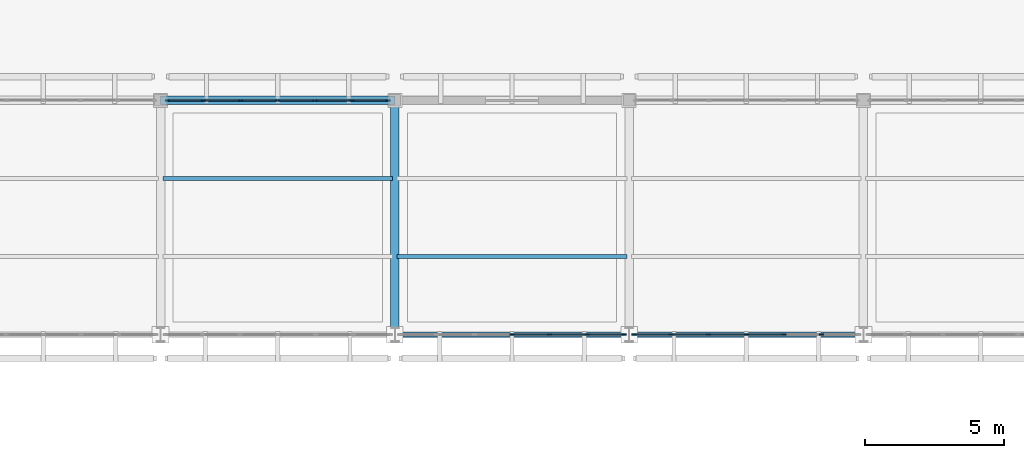
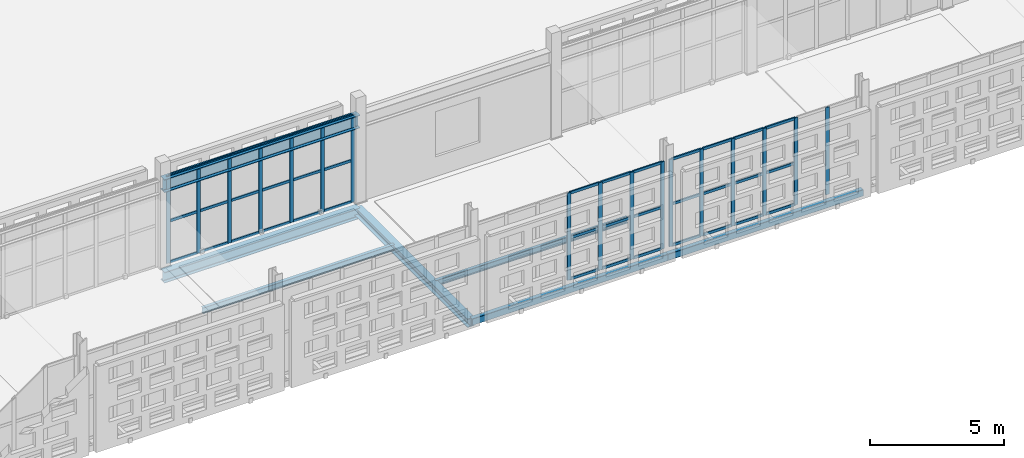
# One storey, part 53 of 203: 56 members, 7 beams, 3 elements without a shape of their own.
"""IFC4 building model written with IfcOpenShell, lengths in metres."""

from ifc_helpers import new_model, si_unit, direction, frame, origin, origin_2d, place, context, subcontext, project, spatial, rectangle, hollow_rectangle, i_section, extrude, material, layer, layer_set, material_profile, profile_set, type_object, element, aggregate, save


model = new_model("IFC4")

# Units and contexts
model_context = context("Model", 3, precision=1e-05, world=origin(), true_north=direction((0.0, 1.0)))
body_context = subcontext(model_context, "Body", "Model", "MODEL_VIEW")
ifc_project = project(units=[si_unit("LENGTHUNIT", "METRE"), si_unit("AREAUNIT", "SQUARE_METRE"), si_unit("VOLUMEUNIT", "CUBIC_METRE"), si_unit("PLANEANGLEUNIT", "RADIAN"), si_unit("MASSUNIT", "GRAM", prefix="KILO")], contexts=[model_context])

# Site, building, storey
site_placement = place(None, origin())
site = spatial("IfcSite", under=ifc_project, at=site_placement, CompositionType="ELEMENT")
building_placement = place(site_placement, origin())
building = spatial("IfcBuilding", under=site, at=building_placement, Name="Varnapada Polytechnic", CompositionType="ELEMENT")
storey_placement = place(building_placement, frame((0.0, 0.0, 4.800048828125)))
storey = spatial("IfcBuildingStorey", under=building, at=storey_placement, Name="L01", CompositionType="ELEMENT", Elevation=4.800048828125)

# Beams
ifc_material_1 = material(Name="Steel S355", Category="steel")
ifc_material_profile_1 = material_profile(ifc_material_1, i_section(OverallWidth=0.135009765625, OverallDepth=0.27001953125, WebThickness=0.006591796875, FlangeThickness=0.01025390625, FilletRadius=0.014892578125, at=origin_2d()), Name="IPE 270")
ifc_profile_set_1 = profile_set([ifc_material_profile_1], Name="Steel S355")
beam_type_1 = type_object("IfcBeamType", Name="Mezzanine heavy steel joist SJ-03 (IPE 270)", PredefinedType="JOIST", material=ifc_profile_set_1)
for number, where, z_axis, x_axis, name in (
    (1, (67.280029296875, 89.60009765625, -0.39501953125), (1.0, 0.0, 0.0), (0.0, 1.0, 0.0), "L01 floor joist 9/11.2"),
    (2, (75.679931640625, 86.800048828125, -0.39501953125), (1.0, 0.0, 0.0), (0.0, 1.0, 0.0), "L01 floor joist 10/11.1"),
):
    element("IfcBeam", number, at=place(storey_placement, frame(where, z_axis=z_axis, x_axis=x_axis)), inside=storey, type_object=beam_type_1, Name=name, PredefinedType="JOIST", context=body_context, shape_type="SweptSolid", body=[
        extrude(i_section(OverallWidth=0.135009765625, OverallDepth=0.27001953125, WebThickness=0.006591796875, FlangeThickness=0.01025390625, FilletRadius=0.014892578125, at=origin_2d()), origin(), (0.0, 0.0, 1.0), 8.239990234375),
    ])

# Curtain wall, members
ifc_material_2 = material(Name="Double low-E laminated glass", Category="glass")
ifc_layer_1 = layer(ifc_material_2, 0.159912109375)
ifc_layer_set_1 = layer_set([ifc_layer_1], Name="Double low-E laminated glass")
curtain_wall_type_1 = type_object("IfcCurtainWallType", Name="Curtain Wall CW-02", PredefinedType="NOTDEFINED", material=ifc_layer_set_1)
curtain_wall_1_placement = place(storey_placement, origin())
curtain_wall_1 = element("IfcCurtainWall", 3, at=curtain_wall_1_placement, inside=storey, type_object=curtain_wall_type_1, Name="L01 unitised curtain wall CW-02 (63)", PredefinedType="NOTDEFINED")
ifc_material_3 = material(Name="Anodised aluminium", Category="aluminium")
ifc_material_profile_2 = material_profile(ifc_material_3, rectangle(XDim=0.06005859375, YDim=0.159912109375, at=origin_2d()), Name="ALU M60x160")
ifc_profile_set_2 = profile_set([ifc_material_profile_2], Name="Anodised aluminium")
member_type_1 = type_object("IfcMemberType", Name="Mullion M-01", PredefinedType="MULLION", material=ifc_profile_set_2)
member_1_placement = place(storey_placement, frame((67.43994140625, 92.39990234375, 0.0), z_axis=(0.0, 0.0, 1.0), x_axis=(0.0, 1.0, 0.0)))
member_1 = element("IfcMember", 4, at=member_1_placement, type_object=member_type_1, Name="CW-02 mullion 1", PredefinedType="MULLION", context=body_context, shape_type="SweptSolid", body=[
    extrude(rectangle(XDim=0.06005859375, YDim=0.159912109375, at=origin_2d()), origin(), (0.0, 0.0, 1.0), 3.9599609375),
])
member_2_placement = place(storey_placement, frame((68.739990234375, 92.39990234375, 0.0), z_axis=(0.0, 0.0, 1.0), x_axis=(0.0, 1.0, 0.0)))
member_2 = element("IfcMember", 5, at=member_2_placement, type_object=member_type_1, Name="CW-02 mullion 2", PredefinedType="MULLION", context=body_context, shape_type="SweptSolid", body=[
    extrude(rectangle(XDim=0.06005859375, YDim=0.159912109375, at=origin_2d()), origin(), (0.0, 0.0, 1.0), 3.9599609375),
])
member_3_placement = place(storey_placement, frame((70.070068359375, 92.39990234375, 0.0), z_axis=(0.0, 0.0, 1.0), x_axis=(0.0, 1.0, 0.0)))
member_3 = element("IfcMember", 6, at=member_3_placement, type_object=member_type_1, Name="CW-02 mullion 3", PredefinedType="MULLION", context=body_context, shape_type="SweptSolid", body=[
    extrude(rectangle(XDim=0.06005859375, YDim=0.159912109375, at=origin_2d()), origin(), (0.0, 0.0, 1.0), 3.9599609375),
])
member_4_placement = place(storey_placement, frame((71.39990234375, 92.39990234375, 0.0), z_axis=(0.0, 0.0, 1.0), x_axis=(0.0, 1.0, 0.0)))
member_4 = element("IfcMember", 7, at=member_4_placement, type_object=member_type_1, Name="CW-02 mullion 4", PredefinedType="MULLION", context=body_context, shape_type="SweptSolid", body=[
    extrude(rectangle(XDim=0.06005859375, YDim=0.159912109375, at=origin_2d()), origin(), (0.0, 0.0, 1.0), 3.9599609375),
])
member_5_placement = place(storey_placement, frame((72.72998046875, 92.39990234375, 0.0), z_axis=(0.0, 0.0, 1.0), x_axis=(0.0, 1.0, 0.0)))
member_5 = element("IfcMember", 8, at=member_5_placement, type_object=member_type_1, Name="CW-02 mullion 5", PredefinedType="MULLION", context=body_context, shape_type="SweptSolid", body=[
    extrude(rectangle(XDim=0.06005859375, YDim=0.159912109375, at=origin_2d()), origin(), (0.0, 0.0, 1.0), 3.9599609375),
])
member_6_placement = place(storey_placement, frame((74.06005859375, 92.39990234375, 0.0), z_axis=(0.0, 0.0, 1.0), x_axis=(0.0, 1.0, 0.0)))
member_6 = element("IfcMember", 9, at=member_6_placement, type_object=member_type_1, Name="CW-02 mullion 6", PredefinedType="MULLION", context=body_context, shape_type="SweptSolid", body=[
    extrude(rectangle(XDim=0.06005859375, YDim=0.159912109375, at=origin_2d()), origin(), (0.0, 0.0, 1.0), 3.9599609375),
])
member_7_placement = place(storey_placement, frame((75.360107421875, 92.39990234375, 0.0), z_axis=(0.0, 0.0, 1.0), x_axis=(0.0, 1.0, 0.0)))
member_7 = element("IfcMember", 10, at=member_7_placement, type_object=member_type_1, Name="CW-02 mullion 7", PredefinedType="MULLION", context=body_context, shape_type="SweptSolid", body=[
    extrude(rectangle(XDim=0.06005859375, YDim=0.159912109375, at=origin_2d()), origin(), (0.0, 0.0, 1.0), 3.9599609375),
])

ifc_layer_2 = layer(ifc_material_2, 0.159912109375)
ifc_layer_set_2 = layer_set([ifc_layer_2], Name="Double low-E laminated glass")
curtain_wall_type_2 = type_object("IfcCurtainWallType", Name="Curtain Wall CW-01", PredefinedType="NOTDEFINED", material=ifc_layer_set_2)
curtain_wall_2_placement = place(storey_placement, origin())
curtain_wall_2 = element("IfcCurtainWall", 11, at=curtain_wall_2_placement, inside=storey, type_object=curtain_wall_type_2, Name="L01 unitised curtain wall CW-01 (66)", PredefinedType="NOTDEFINED")
member_8_placement = place(storey_placement, frame((83.820068359375, 84.0, 0.0), z_axis=(0.0, 0.0, 1.0), x_axis=(0.0, -1.0, 0.0)))
member_8 = element("IfcMember", 12, at=member_8_placement, type_object=member_type_1, Name="CW-01 mullion 1", PredefinedType="MULLION", context=body_context, shape_type="SweptSolid", body=[
    extrude(rectangle(XDim=0.06005859375, YDim=0.159912109375, at=origin_2d()), origin(), (0.0, 0.0, 1.0), 3.9599609375),
])
member_9_placement = place(storey_placement, frame((82.5, 84.0, 0.0), z_axis=(0.0, 0.0, 1.0), x_axis=(0.0, -1.0, 0.0)))
member_9 = element("IfcMember", 13, at=member_9_placement, type_object=member_type_1, Name="CW-01 mullion 2", PredefinedType="MULLION", context=body_context, shape_type="SweptSolid", body=[
    extrude(rectangle(XDim=0.06005859375, YDim=0.159912109375, at=origin_2d()), origin(), (0.0, 0.0, 1.0), 3.9599609375),
])
member_10_placement = place(storey_placement, frame((81.14990234375, 84.0, 0.0), z_axis=(0.0, 0.0, 1.0), x_axis=(0.0, -1.0, 0.0)))
member_10 = element("IfcMember", 14, at=member_10_placement, type_object=member_type_1, Name="CW-01 mullion 3", PredefinedType="MULLION", context=body_context, shape_type="SweptSolid", body=[
    extrude(rectangle(XDim=0.06005859375, YDim=0.159912109375, at=origin_2d()), origin(), (0.0, 0.0, 1.0), 3.9599609375),
])
member_11_placement = place(storey_placement, frame((79.800048828125, 84.0, 0.0), z_axis=(0.0, 0.0, 1.0), x_axis=(0.0, -1.0, 0.0)))
member_11 = element("IfcMember", 15, at=member_11_placement, type_object=member_type_1, Name="CW-01 mullion 4", PredefinedType="MULLION", context=body_context, shape_type="SweptSolid", body=[
    extrude(rectangle(XDim=0.06005859375, YDim=0.159912109375, at=origin_2d()), origin(), (0.0, 0.0, 1.0), 3.9599609375),
])

curtain_wall_3_placement = place(storey_placement, origin())
curtain_wall_3 = element("IfcCurtainWall", 16, at=curtain_wall_3_placement, inside=storey, type_object=curtain_wall_type_2, Name="L01 unitised curtain wall CW-01 (71)", PredefinedType="NOTDEFINED")
member_12_placement = place(storey_placement, frame((90.89990234375, 84.0, 0.0), z_axis=(0.0, 0.0, 1.0), x_axis=(0.0, -1.0, 0.0)))
member_12 = element("IfcMember", 17, at=member_12_placement, type_object=member_type_1, Name="CW-01 mullion 2", PredefinedType="MULLION", context=body_context, shape_type="SweptSolid", body=[
    extrude(rectangle(XDim=0.06005859375, YDim=0.159912109375, at=origin_2d()), origin(), (0.0, 0.0, 1.0), 3.9599609375),
])
member_13_placement = place(storey_placement, frame((89.550048828125, 84.0, 0.0), z_axis=(0.0, 0.0, 1.0), x_axis=(0.0, -1.0, 0.0)))
member_13 = element("IfcMember", 18, at=member_13_placement, type_object=member_type_1, Name="CW-01 mullion 3", PredefinedType="MULLION", context=body_context, shape_type="SweptSolid", body=[
    extrude(rectangle(XDim=0.06005859375, YDim=0.159912109375, at=origin_2d()), origin(), (0.0, 0.0, 1.0), 3.9599609375),
])
member_14_placement = place(storey_placement, frame((88.199951171875, 84.0, 0.0), z_axis=(0.0, 0.0, 1.0), x_axis=(0.0, -1.0, 0.0)))
member_14 = element("IfcMember", 19, at=member_14_placement, type_object=member_type_1, Name="CW-01 mullion 4", PredefinedType="MULLION", context=body_context, shape_type="SweptSolid", body=[
    extrude(rectangle(XDim=0.06005859375, YDim=0.159912109375, at=origin_2d()), origin(), (0.0, 0.0, 1.0), 3.9599609375),
])
member_15_placement = place(storey_placement, frame((86.85009765625, 84.0, 0.0), z_axis=(0.0, 0.0, 1.0), x_axis=(0.0, -1.0, 0.0)))
member_15 = element("IfcMember", 20, at=member_15_placement, type_object=member_type_1, Name="CW-01 mullion 5", PredefinedType="MULLION", context=body_context, shape_type="SweptSolid", body=[
    extrude(rectangle(XDim=0.06005859375, YDim=0.159912109375, at=origin_2d()), origin(), (0.0, 0.0, 1.0), 3.9599609375),
])
member_16_placement = place(storey_placement, frame((85.5, 84.0, 0.0), z_axis=(0.0, 0.0, 1.0), x_axis=(0.0, -1.0, 0.0)))
member_16 = element("IfcMember", 21, at=member_16_placement, type_object=member_type_1, Name="CW-01 mullion 6", PredefinedType="MULLION", context=body_context, shape_type="SweptSolid", body=[
    extrude(rectangle(XDim=0.06005859375, YDim=0.159912109375, at=origin_2d()), origin(), (0.0, 0.0, 1.0), 3.9599609375),
])
member_17_placement = place(storey_placement, frame((84.179931640625, 84.0, 0.0), z_axis=(0.0, 0.0, 1.0), x_axis=(0.0, -1.0, 0.0)))
member_17 = element("IfcMember", 22, at=member_17_placement, type_object=member_type_1, Name="CW-01 mullion 7", PredefinedType="MULLION", context=body_context, shape_type="SweptSolid", body=[
    extrude(rectangle(XDim=0.06005859375, YDim=0.159912109375, at=origin_2d()), origin(), (0.0, 0.0, 1.0), 3.9599609375),
])

# Beam
ifc_material_profile_3 = material_profile(ifc_material_1, i_section(OverallWidth=0.300048828125, OverallDepth=0.389892578125, WebThickness=0.010986328125, FlangeThickness=0.01904296875, FilletRadius=0.027099609375, at=origin_2d()), Name="HEA 400")
ifc_profile_set_3 = profile_set([ifc_material_profile_3], Name="Steel S355")
beam_type_2 = type_object("IfcBeamType", Name="Steel roof primary girder SG-01 (HEA 400)", PredefinedType="BEAM", material=ifc_profile_set_3)
beam_1_placement = place(storey_placement, frame((75.60009765625, 84.0, -0.465087890625), z_axis=(0.0, 1.0, 0.0), x_axis=(-1.0, 0.0, 0.0)))
element("IfcBeam", 23, at=beam_1_placement, inside=storey, type_object=beam_type_2, Name="L01 beam Y 11-12 at X10", PredefinedType="BEAM", context=body_context, shape_type="SweptSolid", body=[
    extrude(i_section(OverallWidth=0.300048828125, OverallDepth=0.389892578125, WebThickness=0.010986328125, FlangeThickness=0.01904296875, FilletRadius=0.027099609375, at=origin_2d()), origin(), (0.0, 0.0, 1.0), 8.39990234375),
])

# Member
ifc_material_profile_4 = material_profile(ifc_material_3, rectangle(XDim=0.06005859375, YDim=0.1201171875, at=origin_2d()), Name="ALU T60x120")
ifc_profile_set_4 = profile_set([ifc_material_profile_4], Name="Anodised aluminium")
member_type_2 = type_object("IfcMemberType", Name="Transom T-01", PredefinedType="USERDEFINED", material=ifc_profile_set_4)
member_18_placement = place(storey_placement, frame((67.469970703125, 92.39990234375, 0.030029296875), z_axis=(1.0, 0.0, 0.0), x_axis=(0.0, 1.0, 0.0)))
member_18 = element("IfcMember", 24, at=member_18_placement, type_object=member_type_2, Name="CW-02 transom 1.1", ObjectType="TRANSOM", PredefinedType="USERDEFINED", context=body_context, shape_type="SweptSolid", body=[
    extrude(rectangle(XDim=0.06005859375, YDim=0.1201171875, at=origin_2d()), origin(), (0.0, 0.0, 1.0), 1.239990234375),
])

member_19_placement = place(storey_placement, frame((67.469970703125, 92.39990234375, 1.900634765625), z_axis=(1.0, 0.0, 0.0), x_axis=(0.0, 1.0, 0.0)))
member_19 = element("IfcMember", 25, at=member_19_placement, type_object=member_type_2, Name="CW-02 transom 1.2", ObjectType="TRANSOM", PredefinedType="USERDEFINED", context=body_context, shape_type="SweptSolid", body=[
    extrude(rectangle(XDim=0.06005859375, YDim=0.1201171875, at=origin_2d()), origin(), (0.0, 0.0, 1.0), 1.239990234375),
])

member_20_placement = place(storey_placement, frame((67.469970703125, 92.39990234375, 3.929931640625), z_axis=(1.0, 0.0, 0.0), x_axis=(0.0, 1.0, 0.0)))
member_20 = element("IfcMember", 26, at=member_20_placement, type_object=member_type_2, Name="CW-02 transom 1.3", ObjectType="TRANSOM", PredefinedType="USERDEFINED", context=body_context, shape_type="SweptSolid", body=[
    extrude(rectangle(XDim=0.06005859375, YDim=0.1201171875, at=origin_2d()), origin(), (0.0, 0.0, 1.0), 1.239990234375),
])

member_21_placement = place(storey_placement, frame((68.77001953125, 92.39990234375, 0.030029296875), z_axis=(1.0, 0.0, 0.0), x_axis=(0.0, 1.0, 0.0)))
member_21 = element("IfcMember", 27, at=member_21_placement, type_object=member_type_2, Name="CW-02 transom 2.1", ObjectType="TRANSOM", PredefinedType="USERDEFINED", context=body_context, shape_type="SweptSolid", body=[
    extrude(rectangle(XDim=0.06005859375, YDim=0.1201171875, at=origin_2d()), origin(), (0.0, 0.0, 1.0), 1.27001953125),
])

member_22_placement = place(storey_placement, frame((68.77001953125, 92.39990234375, 1.900634765625), z_axis=(1.0, 0.0, 0.0), x_axis=(0.0, 1.0, 0.0)))
member_22 = element("IfcMember", 28, at=member_22_placement, type_object=member_type_2, Name="CW-02 transom 2.2", ObjectType="TRANSOM", PredefinedType="USERDEFINED", context=body_context, shape_type="SweptSolid", body=[
    extrude(rectangle(XDim=0.06005859375, YDim=0.1201171875, at=origin_2d()), origin(), (0.0, 0.0, 1.0), 1.27001953125),
])

member_23_placement = place(storey_placement, frame((68.77001953125, 92.39990234375, 3.929931640625), z_axis=(1.0, 0.0, 0.0), x_axis=(0.0, 1.0, 0.0)))
member_23 = element("IfcMember", 29, at=member_23_placement, type_object=member_type_2, Name="CW-02 transom 2.3", ObjectType="TRANSOM", PredefinedType="USERDEFINED", context=body_context, shape_type="SweptSolid", body=[
    extrude(rectangle(XDim=0.06005859375, YDim=0.1201171875, at=origin_2d()), origin(), (0.0, 0.0, 1.0), 1.27001953125),
])

member_24_placement = place(storey_placement, frame((70.10009765625, 92.39990234375, 0.030029296875), z_axis=(1.0, 0.0, 0.0), x_axis=(0.0, 1.0, 0.0)))
member_24 = element("IfcMember", 30, at=member_24_placement, type_object=member_type_2, Name="CW-02 transom 3.1", ObjectType="TRANSOM", PredefinedType="USERDEFINED", context=body_context, shape_type="SweptSolid", body=[
    extrude(rectangle(XDim=0.06005859375, YDim=0.1201171875, at=origin_2d()), origin(), (0.0, 0.0, 1.0), 1.27001953125),
])

member_25_placement = place(storey_placement, frame((70.10009765625, 92.39990234375, 1.900634765625), z_axis=(1.0, 0.0, 0.0), x_axis=(0.0, 1.0, 0.0)))
member_25 = element("IfcMember", 31, at=member_25_placement, type_object=member_type_2, Name="CW-02 transom 3.2", ObjectType="TRANSOM", PredefinedType="USERDEFINED", context=body_context, shape_type="SweptSolid", body=[
    extrude(rectangle(XDim=0.06005859375, YDim=0.1201171875, at=origin_2d()), origin(), (0.0, 0.0, 1.0), 1.27001953125),
])

member_26_placement = place(storey_placement, frame((70.10009765625, 92.39990234375, 3.929931640625), z_axis=(1.0, 0.0, 0.0), x_axis=(0.0, 1.0, 0.0)))
member_26 = element("IfcMember", 32, at=member_26_placement, type_object=member_type_2, Name="CW-02 transom 3.3", ObjectType="TRANSOM", PredefinedType="USERDEFINED", context=body_context, shape_type="SweptSolid", body=[
    extrude(rectangle(XDim=0.06005859375, YDim=0.1201171875, at=origin_2d()), origin(), (0.0, 0.0, 1.0), 1.27001953125),
])

member_27_placement = place(storey_placement, frame((71.429931640625, 92.39990234375, 0.030029296875), z_axis=(1.0, 0.0, 0.0), x_axis=(0.0, 1.0, 0.0)))
member_27 = element("IfcMember", 33, at=member_27_placement, type_object=member_type_2, Name="CW-02 transom 4.1", ObjectType="TRANSOM", PredefinedType="USERDEFINED", context=body_context, shape_type="SweptSolid", body=[
    extrude(rectangle(XDim=0.06005859375, YDim=0.1201171875, at=origin_2d()), origin(), (0.0, 0.0, 1.0), 1.27001953125),
])

member_28_placement = place(storey_placement, frame((71.429931640625, 92.39990234375, 1.900634765625), z_axis=(1.0, 0.0, 0.0), x_axis=(0.0, 1.0, 0.0)))
member_28 = element("IfcMember", 34, at=member_28_placement, type_object=member_type_2, Name="CW-02 transom 4.2", ObjectType="TRANSOM", PredefinedType="USERDEFINED", context=body_context, shape_type="SweptSolid", body=[
    extrude(rectangle(XDim=0.06005859375, YDim=0.1201171875, at=origin_2d()), origin(), (0.0, 0.0, 1.0), 1.27001953125),
])

member_29_placement = place(storey_placement, frame((71.429931640625, 92.39990234375, 3.929931640625), z_axis=(1.0, 0.0, 0.0), x_axis=(0.0, 1.0, 0.0)))
member_29 = element("IfcMember", 35, at=member_29_placement, type_object=member_type_2, Name="CW-02 transom 4.3", ObjectType="TRANSOM", PredefinedType="USERDEFINED", context=body_context, shape_type="SweptSolid", body=[
    extrude(rectangle(XDim=0.06005859375, YDim=0.1201171875, at=origin_2d()), origin(), (0.0, 0.0, 1.0), 1.27001953125),
])

member_30_placement = place(storey_placement, frame((72.760009765625, 92.39990234375, 0.030029296875), z_axis=(1.0, 0.0, 0.0), x_axis=(0.0, 1.0, 0.0)))
member_30 = element("IfcMember", 36, at=member_30_placement, type_object=member_type_2, Name="CW-02 transom 5.1", ObjectType="TRANSOM", PredefinedType="USERDEFINED", context=body_context, shape_type="SweptSolid", body=[
    extrude(rectangle(XDim=0.06005859375, YDim=0.1201171875, at=origin_2d()), origin(), (0.0, 0.0, 1.0), 1.27001953125),
])

member_31_placement = place(storey_placement, frame((72.760009765625, 92.39990234375, 1.900634765625), z_axis=(1.0, 0.0, 0.0), x_axis=(0.0, 1.0, 0.0)))
member_31 = element("IfcMember", 37, at=member_31_placement, type_object=member_type_2, Name="CW-02 transom 5.2", ObjectType="TRANSOM", PredefinedType="USERDEFINED", context=body_context, shape_type="SweptSolid", body=[
    extrude(rectangle(XDim=0.06005859375, YDim=0.1201171875, at=origin_2d()), origin(), (0.0, 0.0, 1.0), 1.27001953125),
])

member_32_placement = place(storey_placement, frame((72.760009765625, 92.39990234375, 3.929931640625), z_axis=(1.0, 0.0, 0.0), x_axis=(0.0, 1.0, 0.0)))
member_32 = element("IfcMember", 38, at=member_32_placement, type_object=member_type_2, Name="CW-02 transom 5.3", ObjectType="TRANSOM", PredefinedType="USERDEFINED", context=body_context, shape_type="SweptSolid", body=[
    extrude(rectangle(XDim=0.06005859375, YDim=0.1201171875, at=origin_2d()), origin(), (0.0, 0.0, 1.0), 1.27001953125),
])

member_33_placement = place(storey_placement, frame((74.090087890625, 92.39990234375, 0.030029296875), z_axis=(1.0, 0.0, 0.0), x_axis=(0.0, 1.0, 0.0)))
member_33 = element("IfcMember", 39, at=member_33_placement, type_object=member_type_2, Name="CW-02 transom 6.1", ObjectType="TRANSOM", PredefinedType="USERDEFINED", context=body_context, shape_type="SweptSolid", body=[
    extrude(rectangle(XDim=0.06005859375, YDim=0.1201171875, at=origin_2d()), origin(), (0.0, 0.0, 1.0), 1.239990234375),
])

member_34_placement = place(storey_placement, frame((74.090087890625, 92.39990234375, 1.900634765625), z_axis=(1.0, 0.0, 0.0), x_axis=(0.0, 1.0, 0.0)))
member_34 = element("IfcMember", 40, at=member_34_placement, type_object=member_type_2, Name="CW-02 transom 6.2", ObjectType="TRANSOM", PredefinedType="USERDEFINED", context=body_context, shape_type="SweptSolid", body=[
    extrude(rectangle(XDim=0.06005859375, YDim=0.1201171875, at=origin_2d()), origin(), (0.0, 0.0, 1.0), 1.239990234375),
])

member_35_placement = place(storey_placement, frame((74.090087890625, 92.39990234375, 3.929931640625), z_axis=(1.0, 0.0, 0.0), x_axis=(0.0, 1.0, 0.0)))
member_35 = element("IfcMember", 41, at=member_35_placement, type_object=member_type_2, Name="CW-02 transom 6.3", ObjectType="TRANSOM", PredefinedType="USERDEFINED", context=body_context, shape_type="SweptSolid", body=[
    extrude(rectangle(XDim=0.06005859375, YDim=0.1201171875, at=origin_2d()), origin(), (0.0, 0.0, 1.0), 1.239990234375),
])

aggregate(curtain_wall_1, [member_1, member_2, member_3, member_4, member_5, member_6, member_7, member_18, member_19, member_20, member_21, member_22, member_23, member_24, member_25, member_26, member_27, member_28, member_29, member_30, member_31, member_32, member_33, member_34, member_35])

member_36_placement = place(storey_placement, frame((83.7900390625, 84.0, 0.030029296875), z_axis=(-1.0, 0.0, 0.0), x_axis=(0.0, -1.0, 0.0)))
member_36 = element("IfcMember", 42, at=member_36_placement, type_object=member_type_2, Name="CW-01 transom 1.1", ObjectType="TRANSOM", PredefinedType="USERDEFINED", context=body_context, shape_type="SweptSolid", body=[
    extrude(rectangle(XDim=0.06005859375, YDim=0.1201171875, at=origin_2d()), origin(), (0.0, 0.0, 1.0), 1.260009765625),
])

member_37_placement = place(storey_placement, frame((83.7900390625, 84.0, 1.900634765625), z_axis=(-1.0, 0.0, 0.0), x_axis=(0.0, -1.0, 0.0)))
member_37 = element("IfcMember", 43, at=member_37_placement, type_object=member_type_2, Name="CW-01 transom 1.2", ObjectType="TRANSOM", PredefinedType="USERDEFINED", context=body_context, shape_type="SweptSolid", body=[
    extrude(rectangle(XDim=0.06005859375, YDim=0.1201171875, at=origin_2d()), origin(), (0.0, 0.0, 1.0), 1.260009765625),
])

member_38_placement = place(storey_placement, frame((83.7900390625, 84.0, 3.929931640625), z_axis=(-1.0, 0.0, 0.0), x_axis=(0.0, -1.0, 0.0)))
member_38 = element("IfcMember", 44, at=member_38_placement, type_object=member_type_2, Name="CW-01 transom 1.3", ObjectType="TRANSOM", PredefinedType="USERDEFINED", context=body_context, shape_type="SweptSolid", body=[
    extrude(rectangle(XDim=0.06005859375, YDim=0.1201171875, at=origin_2d()), origin(), (0.0, 0.0, 1.0), 1.260009765625),
])

member_39_placement = place(storey_placement, frame((82.469970703125, 84.0, 0.030029296875), z_axis=(-1.0, 0.0, 0.0), x_axis=(0.0, -1.0, 0.0)))
member_39 = element("IfcMember", 45, at=member_39_placement, type_object=member_type_2, Name="CW-01 transom 2.1", ObjectType="TRANSOM", PredefinedType="USERDEFINED", context=body_context, shape_type="SweptSolid", body=[
    extrude(rectangle(XDim=0.06005859375, YDim=0.1201171875, at=origin_2d()), origin(), (0.0, 0.0, 1.0), 1.2900390625),
])

member_40_placement = place(storey_placement, frame((82.469970703125, 84.0, 1.900634765625), z_axis=(-1.0, 0.0, 0.0), x_axis=(0.0, -1.0, 0.0)))
member_40 = element("IfcMember", 46, at=member_40_placement, type_object=member_type_2, Name="CW-01 transom 2.2", ObjectType="TRANSOM", PredefinedType="USERDEFINED", context=body_context, shape_type="SweptSolid", body=[
    extrude(rectangle(XDim=0.06005859375, YDim=0.1201171875, at=origin_2d()), origin(), (0.0, 0.0, 1.0), 1.2900390625),
])

member_41_placement = place(storey_placement, frame((82.469970703125, 84.0, 3.929931640625), z_axis=(-1.0, 0.0, 0.0), x_axis=(0.0, -1.0, 0.0)))
member_41 = element("IfcMember", 47, at=member_41_placement, type_object=member_type_2, Name="CW-01 transom 2.3", ObjectType="TRANSOM", PredefinedType="USERDEFINED", context=body_context, shape_type="SweptSolid", body=[
    extrude(rectangle(XDim=0.06005859375, YDim=0.1201171875, at=origin_2d()), origin(), (0.0, 0.0, 1.0), 1.2900390625),
])

member_42_placement = place(storey_placement, frame((81.1201171875, 84.0, 0.030029296875), z_axis=(-1.0, 0.0, 0.0), x_axis=(0.0, -1.0, 0.0)))
member_42 = element("IfcMember", 48, at=member_42_placement, type_object=member_type_2, Name="CW-01 transom 3.1", ObjectType="TRANSOM", PredefinedType="USERDEFINED", context=body_context, shape_type="SweptSolid", body=[
    extrude(rectangle(XDim=0.06005859375, YDim=0.1201171875, at=origin_2d()), origin(), (0.0, 0.0, 1.0), 1.2900390625),
])

member_43_placement = place(storey_placement, frame((81.1201171875, 84.0, 1.900634765625), z_axis=(-1.0, 0.0, 0.0), x_axis=(0.0, -1.0, 0.0)))
member_43 = element("IfcMember", 49, at=member_43_placement, type_object=member_type_2, Name="CW-01 transom 3.2", ObjectType="TRANSOM", PredefinedType="USERDEFINED", context=body_context, shape_type="SweptSolid", body=[
    extrude(rectangle(XDim=0.06005859375, YDim=0.1201171875, at=origin_2d()), origin(), (0.0, 0.0, 1.0), 1.2900390625),
])

member_44_placement = place(storey_placement, frame((81.1201171875, 84.0, 3.929931640625), z_axis=(-1.0, 0.0, 0.0), x_axis=(0.0, -1.0, 0.0)))
member_44 = element("IfcMember", 50, at=member_44_placement, type_object=member_type_2, Name="CW-01 transom 3.3", ObjectType="TRANSOM", PredefinedType="USERDEFINED", context=body_context, shape_type="SweptSolid", body=[
    extrude(rectangle(XDim=0.06005859375, YDim=0.1201171875, at=origin_2d()), origin(), (0.0, 0.0, 1.0), 1.2900390625),
])

aggregate(curtain_wall_2, [member_8, member_9, member_10, member_11, member_36, member_37, member_38, member_39, member_40, member_41, member_42, member_43, member_44])

member_45_placement = place(storey_placement, frame((89.52001953125, 84.0, 0.030029296875), z_axis=(-1.0, 0.0, 0.0), x_axis=(0.0, -1.0, 0.0)))
member_45 = element("IfcMember", 51, at=member_45_placement, type_object=member_type_2, Name="CW-01 transom 3.1", ObjectType="TRANSOM", PredefinedType="USERDEFINED", context=body_context, shape_type="SweptSolid", body=[
    extrude(rectangle(XDim=0.06005859375, YDim=0.1201171875, at=origin_2d()), origin(), (0.0, 0.0, 1.0), 1.2900390625),
])

member_46_placement = place(storey_placement, frame((89.52001953125, 84.0, 1.900634765625), z_axis=(-1.0, 0.0, 0.0), x_axis=(0.0, -1.0, 0.0)))
member_46 = element("IfcMember", 52, at=member_46_placement, type_object=member_type_2, Name="CW-01 transom 3.2", ObjectType="TRANSOM", PredefinedType="USERDEFINED", context=body_context, shape_type="SweptSolid", body=[
    extrude(rectangle(XDim=0.06005859375, YDim=0.1201171875, at=origin_2d()), origin(), (0.0, 0.0, 1.0), 1.2900390625),
])

member_47_placement = place(storey_placement, frame((89.52001953125, 84.0, 3.929931640625), z_axis=(-1.0, 0.0, 0.0), x_axis=(0.0, -1.0, 0.0)))
member_47 = element("IfcMember", 53, at=member_47_placement, type_object=member_type_2, Name="CW-01 transom 3.3", ObjectType="TRANSOM", PredefinedType="USERDEFINED", context=body_context, shape_type="SweptSolid", body=[
    extrude(rectangle(XDim=0.06005859375, YDim=0.1201171875, at=origin_2d()), origin(), (0.0, 0.0, 1.0), 1.2900390625),
])

member_48_placement = place(storey_placement, frame((88.169921875, 84.0, 0.030029296875), z_axis=(-1.0, 0.0, 0.0), x_axis=(0.0, -1.0, 0.0)))
member_48 = element("IfcMember", 54, at=member_48_placement, type_object=member_type_2, Name="CW-01 transom 4.1", ObjectType="TRANSOM", PredefinedType="USERDEFINED", context=body_context, shape_type="SweptSolid", body=[
    extrude(rectangle(XDim=0.06005859375, YDim=0.1201171875, at=origin_2d()), origin(), (0.0, 0.0, 1.0), 1.2900390625),
])

member_49_placement = place(storey_placement, frame((88.169921875, 84.0, 1.900634765625), z_axis=(-1.0, 0.0, 0.0), x_axis=(0.0, -1.0, 0.0)))
member_49 = element("IfcMember", 55, at=member_49_placement, type_object=member_type_2, Name="CW-01 transom 4.2", ObjectType="TRANSOM", PredefinedType="USERDEFINED", context=body_context, shape_type="SweptSolid", body=[
    extrude(rectangle(XDim=0.06005859375, YDim=0.1201171875, at=origin_2d()), origin(), (0.0, 0.0, 1.0), 1.2900390625),
])

member_50_placement = place(storey_placement, frame((88.169921875, 84.0, 3.929931640625), z_axis=(-1.0, 0.0, 0.0), x_axis=(0.0, -1.0, 0.0)))
member_50 = element("IfcMember", 56, at=member_50_placement, type_object=member_type_2, Name="CW-01 transom 4.3", ObjectType="TRANSOM", PredefinedType="USERDEFINED", context=body_context, shape_type="SweptSolid", body=[
    extrude(rectangle(XDim=0.06005859375, YDim=0.1201171875, at=origin_2d()), origin(), (0.0, 0.0, 1.0), 1.2900390625),
])

member_51_placement = place(storey_placement, frame((86.820068359375, 84.0, 0.030029296875), z_axis=(-1.0, 0.0, 0.0), x_axis=(0.0, -1.0, 0.0)))
member_51 = element("IfcMember", 57, at=member_51_placement, type_object=member_type_2, Name="CW-01 transom 5.1", ObjectType="TRANSOM", PredefinedType="USERDEFINED", context=body_context, shape_type="SweptSolid", body=[
    extrude(rectangle(XDim=0.06005859375, YDim=0.1201171875, at=origin_2d()), origin(), (0.0, 0.0, 1.0), 1.2900390625),
])

member_52_placement = place(storey_placement, frame((86.820068359375, 84.0, 1.900634765625), z_axis=(-1.0, 0.0, 0.0), x_axis=(0.0, -1.0, 0.0)))
member_52 = element("IfcMember", 58, at=member_52_placement, type_object=member_type_2, Name="CW-01 transom 5.2", ObjectType="TRANSOM", PredefinedType="USERDEFINED", context=body_context, shape_type="SweptSolid", body=[
    extrude(rectangle(XDim=0.06005859375, YDim=0.1201171875, at=origin_2d()), origin(), (0.0, 0.0, 1.0), 1.2900390625),
])

member_53_placement = place(storey_placement, frame((86.820068359375, 84.0, 3.929931640625), z_axis=(-1.0, 0.0, 0.0), x_axis=(0.0, -1.0, 0.0)))
member_53 = element("IfcMember", 59, at=member_53_placement, type_object=member_type_2, Name="CW-01 transom 5.3", ObjectType="TRANSOM", PredefinedType="USERDEFINED", context=body_context, shape_type="SweptSolid", body=[
    extrude(rectangle(XDim=0.06005859375, YDim=0.1201171875, at=origin_2d()), origin(), (0.0, 0.0, 1.0), 1.2900390625),
])

member_54_placement = place(storey_placement, frame((85.469970703125, 84.0, 0.030029296875), z_axis=(-1.0, 0.0, 0.0), x_axis=(0.0, -1.0, 0.0)))
member_54 = element("IfcMember", 60, at=member_54_placement, type_object=member_type_2, Name="CW-01 transom 6.1", ObjectType="TRANSOM", PredefinedType="USERDEFINED", context=body_context, shape_type="SweptSolid", body=[
    extrude(rectangle(XDim=0.06005859375, YDim=0.1201171875, at=origin_2d()), origin(), (0.0, 0.0, 1.0), 1.260009765625),
])

member_55_placement = place(storey_placement, frame((85.469970703125, 84.0, 1.900634765625), z_axis=(-1.0, 0.0, 0.0), x_axis=(0.0, -1.0, 0.0)))
member_55 = element("IfcMember", 61, at=member_55_placement, type_object=member_type_2, Name="CW-01 transom 6.2", ObjectType="TRANSOM", PredefinedType="USERDEFINED", context=body_context, shape_type="SweptSolid", body=[
    extrude(rectangle(XDim=0.06005859375, YDim=0.1201171875, at=origin_2d()), origin(), (0.0, 0.0, 1.0), 1.260009765625),
])

member_56_placement = place(storey_placement, frame((85.469970703125, 84.0, 3.929931640625), z_axis=(-1.0, 0.0, 0.0), x_axis=(0.0, -1.0, 0.0)))
member_56 = element("IfcMember", 62, at=member_56_placement, type_object=member_type_2, Name="CW-01 transom 6.3", ObjectType="TRANSOM", PredefinedType="USERDEFINED", context=body_context, shape_type="SweptSolid", body=[
    extrude(rectangle(XDim=0.06005859375, YDim=0.1201171875, at=origin_2d()), origin(), (0.0, 0.0, 1.0), 1.260009765625),
])

aggregate(curtain_wall_3, [member_12, member_13, member_14, member_15, member_16, member_17, member_45, member_46, member_47, member_48, member_49, member_50, member_51, member_52, member_53, member_54, member_55, member_56])

# Beams
ifc_material_profile_5 = material_profile(ifc_material_1, i_section(OverallWidth=0.300048828125, OverallDepth=0.590087890625, WebThickness=0.012939453125, FlangeThickness=0.02490234375, FilletRadius=0.027099609375, at=origin_2d()), Name="HEA 600")
ifc_profile_set_5 = profile_set([ifc_material_profile_5], Name="Steel S355")
beam_type_3 = type_object("IfcBeamType", Name="Workshop bridge crane runway girder CR-01 (HEA 600)", PredefinedType="BEAM", material=ifc_profile_set_5)
beam_2_placement = place(storey_placement, frame((67.199951171875, 92.39990234375, 3.64501953125), z_axis=(1.0, 0.0, 0.0), x_axis=(0.0, 1.0, 0.0)))
element("IfcBeam", 63, at=beam_2_placement, inside=storey, type_object=beam_type_3, Name="Workshop bridge crane runway girder 9-10 line 12", PredefinedType="BEAM", context=body_context, shape_type="SweptSolid", body=[
    extrude(i_section(OverallWidth=0.300048828125, OverallDepth=0.590087890625, WebThickness=0.012939453125, FlangeThickness=0.02490234375, FilletRadius=0.027099609375, at=origin_2d()), origin(), (0.0, 0.0, 1.0), 8.400146484375),
])
ifc_material_profile_6 = material_profile(ifc_material_1, i_section(OverallWidth=0.300048828125, OverallDepth=0.489990234375, WebThickness=0.011962890625, FlangeThickness=0.02294921875, FilletRadius=0.027099609375, at=origin_2d()), Name="HEA 500")
ifc_profile_set_6 = profile_set([ifc_material_profile_6], Name="Steel S355")
beam_type_4 = type_object("IfcBeamType", Name="Workshop gallery edge girder CR-02 (HEA 500)", PredefinedType="BEAM", material=ifc_profile_set_6)
beam_3_placement = place(storey_placement, frame((67.199951171875, 92.39990234375, -0.51513671875), z_axis=(1.0, 0.0, 0.0), x_axis=(0.0, 1.0, 0.0)))
element("IfcBeam", 64, at=beam_3_placement, inside=storey, type_object=beam_type_4, Name="L01 beam X 9-10 at Y12", PredefinedType="BEAM", context=body_context, shape_type="SweptSolid", body=[
    extrude(i_section(OverallWidth=0.300048828125, OverallDepth=0.489990234375, WebThickness=0.011962890625, FlangeThickness=0.02294921875, FilletRadius=0.027099609375, at=origin_2d()), origin(), (0.0, 0.0, 1.0), 8.400146484375),
])
ifc_material_profile_7 = material_profile(ifc_material_1, hollow_rectangle(XDim=0.199951171875, YDim=0.300048828125, WallThickness=0.010009765625, InnerFilletRadius=0.010009765625, OuterFilletRadius=0.02001953125, at=origin_2d()), Name="RHS 300x200x10")
ifc_profile_set_7 = profile_set([ifc_material_profile_7], Name="Steel S355")
beam_type_5 = type_object("IfcBeamType", Name="Workshop steel spandrel tie SP-03 (RHS 300x200x10)", PredefinedType="SPANDREL", material=ifc_profile_set_7)
for number, where, z_axis, x_axis, name in (
    (65, (75.60009765625, 84.0, -0.41015625), (1.0, 0.0, 0.0), (0.0, 1.0, 0.0), "L01 beam X 10-11 at Y11"),
    (66, (84.0, 84.0, -0.41015625), (1.0, 0.0, 0.0), (0.0, 1.0, 0.0), "L01 beam X 11-12 at Y11"),
):
    element("IfcBeam", number, at=place(storey_placement, frame(where, z_axis=z_axis, x_axis=x_axis)), inside=storey, type_object=beam_type_5, Name=name, PredefinedType="SPANDREL", context=body_context, shape_type="SweptSolid", body=[
        extrude(hollow_rectangle(XDim=0.199951171875, YDim=0.300048828125, WallThickness=0.010009765625, InnerFilletRadius=0.010009765625, OuterFilletRadius=0.02001953125, at=origin_2d()), origin(), (0.0, 0.0, 1.0), 8.39990234375),
    ])

save(model, "model.ifc")
